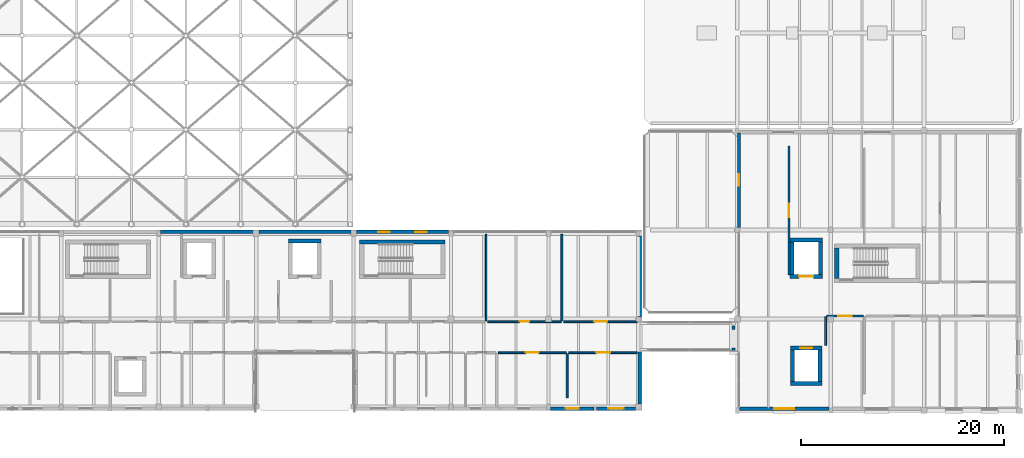
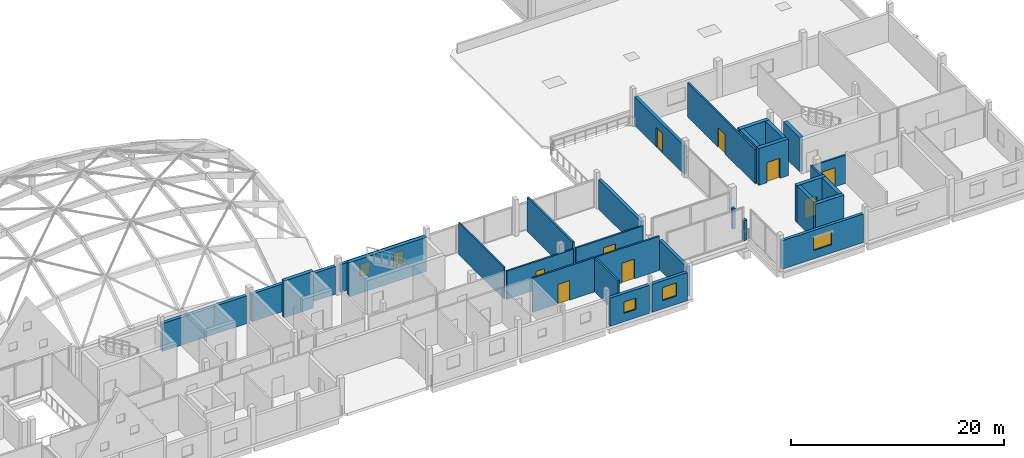
# One storey, part 27 of 41: 32 walls, 9 doors, 5 windows, 14 openings.
"""IFC4 building model written with IfcOpenShell, lengths in metres."""

from ifc_helpers import new_model, si_unit, direction, frame, frame_2d, origin, place, context, subcontext, project, spatial, rectangle, extrude, material, layer, layer_set, type_object, element, fill, save


model = new_model("IFC4")

# Units and contexts
model_context = context("Model", 3, precision=1e-05, world=origin(), true_north=direction((0.0, 1.0)))
body_context = subcontext(model_context, "Body", "Model", "MODEL_VIEW")
ifc_project = project(units=[si_unit("LENGTHUNIT", "METRE"), si_unit("AREAUNIT", "SQUARE_METRE"), si_unit("VOLUMEUNIT", "CUBIC_METRE"), si_unit("PLANEANGLEUNIT", "RADIAN"), si_unit("MASSUNIT", "GRAM", prefix="KILO")], contexts=[model_context])

# Site, building, storey
site_placement = place(None, origin())
site = spatial("IfcSite", under=ifc_project, at=site_placement, CompositionType="ELEMENT")
building_placement = place(site_placement, origin())
building = spatial("IfcBuilding", under=site, at=building_placement, Name="Birchvale Park Specialist Clinic", CompositionType="ELEMENT")
storey_placement = place(building_placement, frame((0.0, 0.0, 9.60009765625)))
storey = spatial("IfcBuildingStorey", under=building, at=storey_placement, Name="L02", CompositionType="ELEMENT", Elevation=9.60009765625)

# Walls
ifc_material_1 = material(Name="Concrete C40/50", Category="concrete")
ifc_layer_1 = layer(ifc_material_1, 0.39990234375)
ifc_layer_set_1 = layer_set([ifc_layer_1], Name="Concrete C40/50")
wall_type_1 = type_object("IfcWallType", Name="WL-CW-120", PredefinedType="SHEAR", material=ifc_layer_set_1)
wall_1_placement = place(storey_placement, frame((99.199951171875, 33.39990234375, 0.0), z_axis=(0.0, 0.0, 1.0), x_axis=(-1.0, 0.0, 0.0)))
element("IfcWall", 1, at=wall_1_placement, inside=storey, type_object=wall_type_1, Name="L02 stair ST5 EI 120 enclosure wall (north)", PredefinedType="SHEAR", context=body_context, shape_type="SweptSolid", body=[
    extrude(rectangle(XDim=8.39990234375, YDim=0.39990234375, at=frame_2d((4.199951171875, 0.0))), origin(), (0.0, 0.0, 1.0), 3.919921875),
])
wall_2_placement = place(storey_placement, frame((137.800048828125, 29.800048828125, 0.0), z_axis=(0.0, 0.0, 1.0), x_axis=(0.0, 1.0, 0.0)))
element("IfcWall", 2, at=wall_2_placement, inside=storey, type_object=wall_type_1, Name="L02 stair ST6 EI 120 enclosure wall (west)", PredefinedType="SHEAR", context=body_context, shape_type="SweptSolid", body=[
    extrude(rectangle(XDim=3.0, YDim=0.39990234375, at=frame_2d((1.5, 0.0))), origin(), (0.0, 0.0, 1.0), 3.919921875),
])
wall_3_placement = place(storey_placement, frame((87.0, 33.5, 0.0), z_axis=(0.0, 0.0, 1.0), x_axis=(-1.0, 0.0, 0.0)))
element("IfcWall", 3, at=wall_3_placement, inside=storey, type_object=wall_type_1, Name="L02 lift LF2 shaft wall (north)", PredefinedType="SHEAR", context=body_context, shape_type="SweptSolid", body=[
    extrude(rectangle(XDim=3.199951171875, YDim=0.39990234375, at=frame_2d((1.60009765625, 0.0))), origin(), (0.0, 0.0, 1.0), 4.199951171875),
])
wall_4_placement = place(storey_placement, frame((133.25, 19.449951171875, 0.0), z_axis=(0.0, 0.0, 1.0), x_axis=(1.0, 0.0, 0.0)))
element("IfcWall", 4, at=wall_4_placement, inside=storey, type_object=wall_type_1, Name="L02 lift LP4 shaft wall (south)", PredefinedType="SHEAR", context=body_context, shape_type="SweptSolid", body=[
    extrude(rectangle(XDim=3.10009765625, YDim=0.39990234375, at=frame_2d((1.550048828125, 0.0))), origin(), (0.0, 0.0, 1.0), 4.199951171875),
])

# Wall, opening, door
wall_5_placement = place(storey_placement, frame((136.35009765625, 22.949951171875, 0.0), z_axis=(0.0, 0.0, 1.0), x_axis=(-1.0, 0.0, 0.0)))
wall_5 = element("IfcWall", 5, at=wall_5_placement, inside=storey, type_object=wall_type_1, Name="L02 lift LP4 shaft wall (north)", PredefinedType="SHEAR", context=body_context, shape_type="SweptSolid", body=[
    extrude(rectangle(XDim=3.10009765625, YDim=0.39990234375, at=frame_2d((1.550048828125, 0.0))), origin(), (0.0, 0.0, 1.0), 4.199951171875),
])
opening_1_placement = place(wall_5_placement, frame((0.949951171875, 0.0, 0.0)))
opening_1 = element("IfcOpeningElement", 6, at=opening_1_placement, cuts=wall_5, Name="Opening LD-01", PredefinedType="OPENING", context=body_context, shape_type="SweptSolid", body=[
    extrude(rectangle(XDim=1.199951171875, YDim=2.199951171875, at=frame_2d((0.60009765625, 1.10009765625))), frame((0.0, 0.2099609375, 0.0), z_axis=(0.0, -1.0, 0.0), x_axis=(1.0, 0.0, 0.0)), (0.0, 0.0, 1.0), 0.419921875),
])
ifc_material_2 = material(Name="Solid-core birch veneer and anodised aluminium", Category="aluminium")
door_type_1 = type_object("IfcDoorType", Name="DR-LD-01", OperationType="DOUBLE_DOOR_SLIDING", PredefinedType="DOOR", material=ifc_material_2)
door_1_placement = place(opening_1_placement, origin())
door_1 = element("IfcDoor", 7, at=door_1_placement, inside=storey, type_object=door_type_1, Name="L02 lift LP4 sliding landing door", OperationType="DOUBLE_DOOR_SLIDING", OverallHeight=2.199951171875, OverallWidth=1.199951171875, PredefinedType="DOOR", context=body_context, shape_type="SweptSolid", body=[
    extrude(rectangle(XDim=1.199951171875, YDim=2.199951171875, at=frame_2d((0.60009765625, 1.10009765625))), frame((0.0, 0.02490234375, 0.0), z_axis=(0.0, -1.0, 0.0), x_axis=(1.0, 0.0, 0.0)), (0.0, 0.0, 1.0), 0.050048828125),
])
fill(opening_1, door_1)

# Walls
for number, where, z_axis, x_axis, name in (
    (8, (133.449951171875, 19.64990234375, 0.0), (0.0, 0.0, 1.0), (0.0, 1.0, 0.0), "L02 lift LP4 shaft wall (west)"),
    (9, (136.14990234375, 22.75, 0.0), (0.0, 0.0, 1.0), (0.0, -1.0, 0.0), "L02 lift LP4 shaft wall (east)"),
):
    element("IfcWall", number, at=place(storey_placement, frame(where, z_axis=z_axis, x_axis=x_axis)), inside=storey, type_object=wall_type_1, Name=name, PredefinedType="SHEAR", context=body_context, shape_type="SweptSolid", body=[
        extrude(rectangle(XDim=3.10009765625, YDim=0.39990234375, at=frame_2d((1.550048828125, 0.0))), origin(), (0.0, 0.0, 1.0), 4.199951171875),
    ])

# Wall, opening, door
wall_6_placement = place(storey_placement, frame((133.199951171875, 30.0, 0.0), z_axis=(0.0, 0.0, 1.0), x_axis=(1.0, 0.0, 0.0)))
wall_6 = element("IfcWall", 10, at=wall_6_placement, inside=storey, type_object=wall_type_1, Name="L02 lift LS2 shaft wall (south)", PredefinedType="SHEAR", context=body_context, shape_type="SweptSolid", body=[
    extrude(rectangle(XDim=3.199951171875, YDim=0.39990234375, at=frame_2d((1.60009765625, 0.0))), origin(), (0.0, 0.0, 1.0), 4.199951171875),
])
opening_2_placement = place(wall_6_placement, frame((0.89990234375, 0.0, 0.0)))
opening_2 = element("IfcOpeningElement", 11, at=opening_2_placement, cuts=wall_6, Name="Opening LD-03", PredefinedType="OPENING", context=body_context, shape_type="SweptSolid", body=[
    extrude(rectangle(XDim=1.39990234375, YDim=2.300048828125, at=frame_2d((0.699951171875, 1.14990234375))), frame((0.0, 0.2099609375, 0.0), z_axis=(0.0, -1.0, 0.0), x_axis=(1.0, 0.0, 0.0)), (0.0, 0.0, 1.0), 0.419921875),
])
door_type_2 = type_object("IfcDoorType", Name="DR-LD-03", OperationType="DOUBLE_DOOR_SLIDING", PredefinedType="DOOR", material=ifc_material_2)
door_2_placement = place(opening_2_placement, origin())
door_2 = element("IfcDoor", 12, at=door_2_placement, inside=storey, type_object=door_type_2, Name="L02 lift LS2 sliding landing door", OperationType="DOUBLE_DOOR_SLIDING", OverallHeight=2.300048828125, OverallWidth=1.39990234375, PredefinedType="DOOR", context=body_context, shape_type="SweptSolid", body=[
    extrude(rectangle(XDim=1.39990234375, YDim=2.300048828125, at=frame_2d((0.699951171875, 1.14990234375))), frame((0.0, 0.02490234375, 0.0), z_axis=(0.0, -1.0, 0.0), x_axis=(1.0, 0.0, 0.0)), (0.0, 0.0, 1.0), 0.050048828125),
])
fill(opening_2, door_2)

# Walls
for number, where, z_axis, x_axis, name in (
    (13, (136.39990234375, 33.60009765625, 0.0), (0.0, 0.0, 1.0), (-1.0, 0.0, 0.0), "L02 lift LS2 shaft wall (north)"),
    (14, (133.39990234375, 30.199951171875, 0.0), (0.0, 0.0, 1.0), (0.0, 1.0, 0.0), "L02 lift LS2 shaft wall (west)"),
    (15, (136.199951171875, 33.39990234375, 0.0), (0.0, 0.0, 1.0), (0.0, -1.0, 0.0), "L02 lift LS2 shaft wall (east)"),
):
    element("IfcWall", number, at=place(storey_placement, frame(where, z_axis=z_axis, x_axis=x_axis)), inside=storey, type_object=wall_type_1, Name=name, PredefinedType="SHEAR", context=body_context, shape_type="SweptSolid", body=[
        extrude(rectangle(XDim=3.199951171875, YDim=0.39990234375, at=frame_2d((1.60009765625, 0.0))), origin(), (0.0, 0.0, 1.0), 4.199951171875),
    ])

# Wall, opening, window
ifc_material_3 = material(Name="Lime-white mineral-rendered insulated masonry", Category="masonry")
ifc_layer_2 = layer(ifc_material_3, 0.340087890625)
ifc_layer_set_2 = layer_set([ifc_layer_2], Name="Lime-white mineral-rendered insulated masonry")
wall_type_2 = type_object("IfcWallType", Name="WL-EW-01", PredefinedType="STANDARD", material=ifc_layer_set_2)
wall_7_placement = place(storey_placement, frame((109.580078125, 16.989990234375, 0.0), z_axis=(0.0, 0.0, 1.0), x_axis=(1.0, 0.0, 0.0)))
wall_7 = element("IfcWall", 16, at=wall_7_placement, inside=storey, type_object=wall_type_2, Name="V4 L02 exterior facade wall 202", PredefinedType="STANDARD", context=body_context, shape_type="SweptSolid", body=[
    extrude(rectangle(XDim=4.304931640625, YDim=0.340087890625, at=frame_2d((2.15234375, 0.0))), origin(), (0.0, 0.0, 1.0), 3.21484375),
])
opening_3_placement = place(wall_7_placement, frame((1.50244140625, 0.0, 0.949951171875)))
opening_3 = element("IfcOpeningElement", 17, at=opening_3_placement, cuts=wall_7, Name="Opening W-SQ13", PredefinedType="OPENING", context=body_context, shape_type="SweptSolid", body=[
    extrude(rectangle(XDim=1.300048828125, YDim=1.300048828125, at=frame_2d((0.64990234375, 0.64990234375))), frame((0.0, 0.18017578125, 0.0), z_axis=(0.0, -1.0, 0.0), x_axis=(1.0, 0.0, 0.0)), (0.0, 0.0, 1.0), 0.360107421875),
])
ifc_material_4 = material(Name="Solar-control low-E double glazing", Category="glass")
window_type_1 = type_object("IfcWindowType", Name="WIN-W-SQ13", PartitioningType="SINGLE_PANEL", PredefinedType="WINDOW", material=ifc_material_4)
window_1_placement = place(opening_3_placement, origin())
window_1 = element("IfcWindow", 18, at=window_1_placement, inside=storey, type_object=window_type_1, Name="V4 L02 cased window 75", OverallHeight=1.300048828125, OverallWidth=1.300048828125, PartitioningType="SINGLE_PANEL", PredefinedType="WINDOW", context=body_context, shape_type="SweptSolid", body=[
    extrude(rectangle(XDim=1.300048828125, YDim=1.300048828125, at=frame_2d((0.64990234375, 0.64990234375))), frame((0.0, 0.030029296875, 0.0), z_axis=(0.0, -1.0, 0.0), x_axis=(1.0, 0.0, 0.0)), (0.0, 0.0, 1.0), 0.06005859375),
])
fill(opening_3, window_1)

wall_8_placement = place(storey_placement, frame((114.114990234375, 16.989990234375, 0.0), z_axis=(0.0, 0.0, 1.0), x_axis=(1.0, 0.0, 0.0)))
wall_8 = element("IfcWall", 19, at=wall_8_placement, inside=storey, type_object=wall_type_2, Name="V4 L02 exterior facade wall 203", PredefinedType="STANDARD", context=body_context, shape_type="SweptSolid", body=[
    extrude(rectangle(XDim=3.85009765625, YDim=0.340087890625, at=frame_2d((1.925048828125, 0.0))), origin(), (0.0, 0.0, 1.0), 3.21484375),
])
opening_4_placement = place(wall_8_placement, frame((1.175048828125, 0.0, 0.949951171875)))
opening_4 = element("IfcOpeningElement", 20, at=opening_4_placement, cuts=wall_8, Name="Opening W-SQ15", PredefinedType="OPENING", context=body_context, shape_type="SweptSolid", body=[
    extrude(rectangle(XDim=1.5, YDim=1.5, at=frame_2d((0.75, 0.75))), frame((0.0, 0.18017578125, 0.0), z_axis=(0.0, -1.0, 0.0), x_axis=(1.0, 0.0, 0.0)), (0.0, 0.0, 1.0), 0.360107421875),
])
window_type_2 = type_object("IfcWindowType", Name="WIN-W-SQ15", PartitioningType="SINGLE_PANEL", PredefinedType="WINDOW", material=ifc_material_4)
window_2_placement = place(opening_4_placement, origin())
window_2 = element("IfcWindow", 21, at=window_2_placement, inside=storey, type_object=window_type_2, Name="V4 L02 cased window 76", OverallHeight=1.5, OverallWidth=1.5, PartitioningType="SINGLE_PANEL", PredefinedType="WINDOW", context=body_context, shape_type="SweptSolid", body=[
    extrude(rectangle(XDim=1.5, YDim=1.5, at=frame_2d((0.75, 0.75))), frame((0.0, 0.030029296875, 0.0), z_axis=(0.0, -1.0, 0.0), x_axis=(1.0, 0.0, 0.0)), (0.0, 0.0, 1.0), 0.06005859375),
])
fill(opening_4, window_2)

# Walls
wall_9_placement = place(storey_placement, frame((118.409912109375, 17.43505859375, 0.0), z_axis=(0.0, 0.0, 1.0), x_axis=(0.0, 1.0, 0.0)))
element("IfcWall", 22, at=wall_9_placement, inside=storey, type_object=wall_type_2, Name="V4 L02 exterior facade wall 204", PredefinedType="STANDARD", context=body_context, shape_type="SweptSolid", body=[
    extrude(rectangle(XDim=5.114990234375, YDim=0.340087890625, at=frame_2d((2.5576171875, 0.0))), origin(), (0.0, 0.0, 1.0), 3.364990234375),
])
wall_10_placement = place(storey_placement, frame((118.409912109375, 26.034912109375, 0.0), z_axis=(0.0, 0.0, 1.0), x_axis=(0.0, 1.0, 0.0)))
element("IfcWall", 23, at=wall_10_placement, inside=storey, type_object=wall_type_2, Name="V4 L02 exterior facade wall 205", PredefinedType="STANDARD", context=body_context, shape_type="SweptSolid", body=[
    extrude(rectangle(XDim=7.960205078125, YDim=0.340087890625, at=frame_2d((3.97998046875, 0.0))), origin(), (0.0, 0.0, 1.0), 3.364990234375),
])

# Wall, openings, windows
wall_11_placement = place(storey_placement, frame((99.56494140625, 34.409912109375, 0.0), z_axis=(0.0, 0.0, 1.0), x_axis=(-1.0, 0.0, 0.0)))
wall_11 = element("IfcWall", 24, at=wall_11_placement, inside=storey, type_object=wall_type_2, Name="V4 L02 exterior facade wall 206", PredefinedType="STANDARD", context=body_context, shape_type="SweptSolid", body=[
    extrude(rectangle(XDim=9.10498046875, YDim=0.340087890625, at=frame_2d((4.552490234375, 0.0))), origin(), (0.0, 0.0, 1.0), 3.184814453125),
])
opening_5_placement = place(wall_11_placement, frame((2.181396484375, 0.0, 0.949951171875)))
opening_5 = element("IfcOpeningElement", 25, at=opening_5_placement, cuts=wall_11, Name="Opening W-CL11", PredefinedType="OPENING", context=body_context, shape_type="SweptSolid", body=[
    extrude(rectangle(XDim=1.10009765625, YDim=1.39990234375, at=frame_2d((0.550048828125, 0.699951171875))), frame((0.0, 0.18017578125, 0.0), z_axis=(0.0, -1.0, 0.0), x_axis=(1.0, 0.0, 0.0)), (0.0, 0.0, 1.0), 0.360107421875),
])
opening_6_placement = place(wall_11_placement, frame((5.823486328125, 0.0, 0.949951171875)))
opening_6 = element("IfcOpeningElement", 26, at=opening_6_placement, cuts=wall_11, Name="Opening W-CL11", PredefinedType="OPENING", context=body_context, shape_type="SweptSolid", body=[
    extrude(rectangle(XDim=1.10009765625, YDim=1.39990234375, at=frame_2d((0.550048828125, 0.699951171875))), frame((0.0, 0.18017578125, 0.0), z_axis=(0.0, -1.0, 0.0), x_axis=(1.0, 0.0, 0.0)), (0.0, 0.0, 1.0), 0.360107421875),
])
window_type_3 = type_object("IfcWindowType", Name="WIN-W-CL11", PartitioningType="SINGLE_PANEL", PredefinedType="WINDOW", material=ifc_material_4)
window_3_placement = place(opening_5_placement, origin())
window_3 = element("IfcWindow", 27, at=window_3_placement, inside=storey, type_object=window_type_3, Name="V4 L02 cased window 77", OverallHeight=1.39990234375, OverallWidth=1.10009765625, PartitioningType="SINGLE_PANEL", PredefinedType="WINDOW", context=body_context, shape_type="SweptSolid", body=[
    extrude(rectangle(XDim=1.10009765625, YDim=1.39990234375, at=frame_2d((0.550048828125, 0.699951171875))), frame((0.0, 0.030029296875, 0.0), z_axis=(0.0, -1.0, 0.0), x_axis=(1.0, 0.0, 0.0)), (0.0, 0.0, 1.0), 0.06005859375),
])
fill(opening_5, window_3)
window_4_placement = place(opening_6_placement, origin())
window_4 = element("IfcWindow", 28, at=window_4_placement, inside=storey, type_object=window_type_3, Name="V4 L02 cased window 78", OverallHeight=1.39990234375, OverallWidth=1.10009765625, PartitioningType="SINGLE_PANEL", PredefinedType="WINDOW", context=body_context, shape_type="SweptSolid", body=[
    extrude(rectangle(XDim=1.10009765625, YDim=1.39990234375, at=frame_2d((0.550048828125, 0.699951171875))), frame((0.0, 0.030029296875, 0.0), z_axis=(0.0, -1.0, 0.0), x_axis=(1.0, 0.0, 0.0)), (0.0, 0.0, 1.0), 0.06005859375),
])
fill(opening_6, window_4)

# Walls
wall_12_placement = place(storey_placement, frame((89.93994140625, 34.409912109375, 0.0), z_axis=(0.0, 0.0, 1.0), x_axis=(-1.0, 0.0, 0.0)))
element("IfcWall", 29, at=wall_12_placement, inside=storey, type_object=wall_type_2, Name="V4 L02 exterior facade wall 207", PredefinedType="STANDARD", context=body_context, shape_type="SweptSolid", body=[
    extrude(rectangle(XDim=9.054931640625, YDim=0.340087890625, at=frame_2d((4.52734375, 0.0))), origin(), (0.0, 0.0, 1.0), 3.184814453125),
])
wall_13_placement = place(storey_placement, frame((80.31494140625, 34.409912109375, 0.0), z_axis=(0.0, 0.0, 1.0), x_axis=(-1.0, 0.0, 0.0)))
element("IfcWall", 30, at=wall_13_placement, inside=storey, type_object=wall_type_2, Name="V4 L02 exterior facade wall 208", PredefinedType="STANDARD", context=body_context, shape_type="SweptSolid", body=[
    extrude(rectangle(XDim=9.135009765625, YDim=0.340087890625, at=frame_2d((4.5673828125, 0.0))), origin(), (0.0, 0.0, 1.0), 3.184814453125),
])

# Wall, opening, window
ifc_layer_3 = layer(ifc_material_3, 0.31005859375)
ifc_layer_set_3 = layer_set([ifc_layer_3], Name="Lime-white mineral-rendered insulated masonry")
wall_type_3 = type_object("IfcWallType", Name="WL-EW-02", PredefinedType="STANDARD", material=ifc_layer_set_3)
wall_14_placement = place(storey_placement, frame((128.195068359375, 16.97509765625, 0.0), z_axis=(0.0, 0.0, 1.0), x_axis=(1.0, 0.0, 0.0)))
wall_14 = element("IfcWall", 31, at=wall_14_placement, inside=storey, type_object=wall_type_3, Name="V5 L02 exterior facade wall 212", PredefinedType="STANDARD", context=body_context, shape_type="SweptSolid", body=[
    extrude(rectangle(XDim=8.8349609375, YDim=0.31005859375, at=frame_2d((4.41748046875, 0.0))), origin(), (0.0, 0.0, 1.0), 3.2548828125),
])
opening_7_placement = place(wall_14_placement, frame((3.4423828125, 0.0, 0.949951171875)))
opening_7 = element("IfcOpeningElement", 32, at=opening_7_placement, cuts=wall_14, Name="Opening W-CL17", PredefinedType="OPENING", context=body_context, shape_type="SweptSolid", body=[
    extrude(rectangle(XDim=1.949951171875, YDim=1.550048828125, at=frame_2d((0.97509765625, 0.77490234375))), frame((0.0, 0.1650390625, 0.0), z_axis=(0.0, -1.0, 0.0), x_axis=(1.0, 0.0, 0.0)), (0.0, 0.0, 1.0), 0.330078125),
])
window_type_4 = type_object("IfcWindowType", Name="WIN-W-CL17", PartitioningType="SINGLE_PANEL", PredefinedType="WINDOW", material=ifc_material_4)
window_5_placement = place(opening_7_placement, origin())
window_5 = element("IfcWindow", 33, at=window_5_placement, inside=storey, type_object=window_type_4, Name="V5 L02 cased window 79", OverallHeight=1.550048828125, OverallWidth=1.949951171875, PartitioningType="SINGLE_PANEL", PredefinedType="WINDOW", context=body_context, shape_type="SweptSolid", body=[
    extrude(rectangle(XDim=1.949951171875, YDim=1.550048828125, at=frame_2d((0.97509765625, 0.77490234375))), frame((0.0, 0.030029296875, 0.0), z_axis=(0.0, -1.0, 0.0), x_axis=(1.0, 0.0, 0.0)), (0.0, 0.0, 1.0), 0.06005859375),
])
fill(opening_7, window_5)

# Wall, opening, door
wall_15_placement = place(storey_placement, frame((128.175048828125, 44.155029296875, 0.0), z_axis=(0.0, 0.0, 1.0), x_axis=(0.0, -1.0, 0.0)))
wall_15 = element("IfcWall", 34, at=wall_15_placement, inside=storey, type_object=wall_type_3, Name="V5 L02 exterior facade wall 221", PredefinedType="STANDARD", context=body_context, shape_type="SweptSolid", body=[
    extrude(rectangle(XDim=9.31005859375, YDim=0.31005859375, at=frame_2d((4.655029296875, 0.0))), origin(), (0.0, 0.0, 1.0), 3.264892578125),
])
opening_8_placement = place(wall_15_placement, frame((4.080078125, 0.0, 0.0)))
opening_8 = element("IfcOpeningElement", 35, at=opening_8_placement, cuts=wall_15, Name="Opening ED-05", PredefinedType="OPENING", context=body_context, shape_type="SweptSolid", body=[
    extrude(rectangle(XDim=1.14990234375, YDim=2.199951171875, at=frame_2d((0.574951171875, 1.10009765625))), frame((0.0, 0.1650390625, 0.0), z_axis=(0.0, -1.0, 0.0), x_axis=(1.0, 0.0, 0.0)), (0.0, 0.0, 1.0), 0.330078125),
])
ifc_material_5 = material(Name="Powder-coated aluminium and laminated safety glass", Category="aluminium")
door_type_3 = type_object("IfcDoorType", Name="DR-ED-05", OperationType="NOTDEFINED", PredefinedType="DOOR", material=ifc_material_5)
door_3_placement = place(opening_8_placement, frame((1.14990234375, 0.0, 0.0), z_axis=(0.0, 0.0, 1.0), x_axis=(-1.0, 0.0, 0.0)))
door_3 = element("IfcDoor", 36, at=door_3_placement, inside=storey, type_object=door_type_3, Name="V5 L02 accessible roof terrace door 35", OperationType="SINGLE_SWING_RIGHT", OverallHeight=2.199951171875, OverallWidth=1.14990234375, PredefinedType="DOOR", context=body_context, shape_type="SweptSolid", body=[
    extrude(rectangle(XDim=1.14990234375, YDim=2.199951171875, at=frame_2d((0.574951171875, 1.10009765625))), frame((0.0, 0.02490234375, 0.0), z_axis=(0.0, -1.0, 0.0), x_axis=(1.0, 0.0, 0.0)), (0.0, 0.0, 1.0), 0.050048828125),
])
fill(opening_8, door_3)

# Walls
ifc_material_6 = material(Name="Acoustic gypsum board on metal framing")
ifc_layer_4 = layer(ifc_material_6, 0.14990234375)
ifc_layer_set_4 = layer_set([ifc_layer_4], Name="Acoustic gypsum board on metal framing")
wall_type_4 = type_object("IfcWallType", Name="WL-IW-02", PredefinedType="PARTITIONING", material=ifc_layer_set_4)
wall_16_placement = place(storey_placement, frame((103.256103515625, 34.159912109375, 0.0), z_axis=(0.0, 0.0, 1.0), x_axis=(0.0, -1.0, 0.0)))
element("IfcWall", 37, at=wall_16_placement, inside=storey, type_object=wall_type_4, Name="V4 L02 clinical partition 457", PredefinedType="PARTITIONING", context=body_context, shape_type="SweptSolid", body=[
    extrude(rectangle(XDim=8.530029296875, YDim=0.14990234375, at=frame_2d((4.26513671875, 0.0))), origin(), (0.0, 0.0, 1.0), 3.642822265625),
])
ifc_layer_5 = layer(ifc_material_6, 0.195068359375)
ifc_layer_set_5 = layer_set([ifc_layer_5], Name="Acoustic gypsum board on metal framing")
wall_type_5 = type_object("IfcWallType", Name="WL-IW-07", PredefinedType="PARTITIONING", material=ifc_layer_set_5)
wall_17_placement = place(storey_placement, frame((111.2451171875, 22.419921875, 0.0), z_axis=(0.0, 0.0, 1.0), x_axis=(0.0, -1.0, 0.0)))
element("IfcWall", 38, at=wall_17_placement, inside=storey, type_object=wall_type_5, Name="V4 L02 clinical partition 446", PredefinedType="PARTITIONING", context=body_context, shape_type="SweptSolid", body=[
    extrude(rectangle(XDim=4.3798828125, YDim=0.195068359375, at=frame_2d((2.18994140625, 0.0))), origin(), (0.0, 0.0, 1.0), 3.919921875),
])
wall_18_placement = place(storey_placement, frame((110.72802734375, 34.159912109375, 0.0), z_axis=(0.0, 0.0, 1.0), x_axis=(0.0, -1.0, 0.0)))
element("IfcWall", 39, at=wall_18_placement, inside=storey, type_object=wall_type_5, Name="V4 L02 clinical partition 459", PredefinedType="PARTITIONING", context=body_context, shape_type="SweptSolid", body=[
    extrude(rectangle(XDim=8.530029296875, YDim=0.195068359375, at=frame_2d((4.26513671875, 0.0))), origin(), (0.0, 0.0, 1.0), 3.919921875),
])

# Wall, opening, door
ifc_layer_6 = layer(ifc_material_6, 0.179931640625)
ifc_layer_set_6 = layer_set([ifc_layer_6], Name="Acoustic gypsum board on metal framing")
wall_type_6 = type_object("IfcWallType", Name="WL-IW-60", PredefinedType="PARTITIONING", material=ifc_layer_set_6)
wall_19_placement = place(storey_placement, frame((104.449951171875, 22.5, 0.0), z_axis=(0.0, 0.0, 1.0), x_axis=(1.0, 0.0, 0.0)))
wall_19 = element("IfcWall", 40, at=wall_19_placement, inside=storey, type_object=wall_type_6, Name="V4 L02 clinical partition 445", PredefinedType="PARTITIONING", context=body_context, shape_type="SweptSolid", body=[
    extrude(rectangle(XDim=6.715087890625, YDim=0.179931640625, at=frame_2d((3.357421875, 0.0))), origin(), (0.0, 0.0, 1.0), 3.919921875),
])
opening_9_placement = place(wall_19_placement, frame((2.717529296875, 0.0, 0.0)))
opening_9 = element("IfcOpeningElement", 41, at=opening_9_placement, cuts=wall_19, Name="Opening ID-05", PredefinedType="OPENING", context=body_context, shape_type="SweptSolid", body=[
    extrude(rectangle(XDim=1.280029296875, YDim=2.25, at=frame_2d((0.64013671875, 1.125))), frame((0.0, 0.10009765625, 0.0), z_axis=(0.0, -1.0, 0.0), x_axis=(1.0, 0.0, 0.0)), (0.0, 0.0, 1.0), 0.199951171875),
])
door_type_4 = type_object("IfcDoorType", Name="DR-ID-05", OperationType="NOTDEFINED", PredefinedType="DOOR", material=ifc_material_2)
door_4_placement = place(opening_9_placement, origin())
door_4 = element("IfcDoor", 42, at=door_4_placement, inside=storey, type_object=door_type_4, Name="L02 Oncology Consultation Suite door", OperationType="SINGLE_SWING_LEFT", OverallHeight=2.25, OverallWidth=1.280029296875, PredefinedType="DOOR", context=body_context, shape_type="SweptSolid", body=[
    extrude(rectangle(XDim=1.280029296875, YDim=2.25, at=frame_2d((0.64013671875, 1.125))), frame((0.0, 0.02490234375, 0.0), z_axis=(0.0, -1.0, 0.0), x_axis=(1.0, 0.0, 0.0)), (0.0, 0.0, 1.0), 0.050048828125),
])
fill(opening_9, door_4)

wall_20_placement = place(storey_placement, frame((111.405029296875, 22.5, 0.0), z_axis=(0.0, 0.0, 1.0), x_axis=(1.0, 0.0, 0.0)))
wall_20 = element("IfcWall", 43, at=wall_20_placement, inside=storey, type_object=wall_type_6, Name="V4 L02 clinical partition 447", PredefinedType="PARTITIONING", context=body_context, shape_type="SweptSolid", body=[
    extrude(rectangle(XDim=6.7548828125, YDim=0.179931640625, at=frame_2d((3.37744140625, 0.0))), origin(), (0.0, 0.0, 1.0), 3.919921875),
])
opening_10_placement = place(wall_20_placement, frame((2.6875, 0.0, 0.0)))
opening_10 = element("IfcOpeningElement", 44, at=opening_10_placement, cuts=wall_20, Name="Opening ID-06", PredefinedType="OPENING", context=body_context, shape_type="SweptSolid", body=[
    extrude(rectangle(XDim=1.3798828125, YDim=2.25, at=frame_2d((0.68994140625, 1.125))), frame((0.0, 0.10009765625, 0.0), z_axis=(0.0, -1.0, 0.0), x_axis=(1.0, 0.0, 0.0)), (0.0, 0.0, 1.0), 0.199951171875),
])
door_type_5 = type_object("IfcDoorType", Name="DR-ID-06", OperationType="NOTDEFINED", PredefinedType="DOOR", material=ifc_material_2)
door_5_placement = place(opening_10_placement, origin())
door_5 = element("IfcDoor", 45, at=door_5_placement, inside=storey, type_object=door_type_5, Name="L02 Multidisciplinary Consult Room door", OperationType="SINGLE_SWING_RIGHT", OverallHeight=2.25, OverallWidth=1.3798828125, PredefinedType="DOOR", context=body_context, shape_type="SweptSolid", body=[
    extrude(rectangle(XDim=1.3798828125, YDim=2.25, at=frame_2d((0.68994140625, 1.125))), frame((0.0, 0.02490234375, 0.0), z_axis=(0.0, -1.0, 0.0), x_axis=(1.0, 0.0, 0.0)), (0.0, 0.0, 1.0), 0.050048828125),
])
fill(opening_10, door_5)

wall_21_placement = place(storey_placement, frame((110.64794921875, 25.550048828125, 0.0), z_axis=(0.0, 0.0, 1.0), x_axis=(-1.0, 0.0, 0.0)))
wall_21 = element("IfcWall", 46, at=wall_21_placement, inside=storey, type_object=wall_type_6, Name="V4 L02 clinical partition 460", PredefinedType="PARTITIONING", context=body_context, shape_type="SweptSolid", body=[
    extrude(rectangle(XDim=7.23193359375, YDim=0.179931640625, at=frame_2d((3.615966796875, 0.0))), origin(), (0.0, 0.0, 1.0), 3.224853515625),
])
opening_11_placement = place(wall_21_placement, frame((3.135986328125, 0.0, 0.0)))
opening_11 = element("IfcOpeningElement", 47, at=opening_11_placement, cuts=wall_21, Name="Opening ID-04", PredefinedType="OPENING", context=body_context, shape_type="SweptSolid", body=[
    extrude(rectangle(XDim=0.9599609375, YDim=2.10009765625, at=frame_2d((0.47998046875, 1.050048828125))), frame((0.0, 0.10009765625, 0.0), z_axis=(0.0, -1.0, 0.0), x_axis=(1.0, 0.0, 0.0)), (0.0, 0.0, 1.0), 0.199951171875),
])
door_type_6 = type_object("IfcDoorType", Name="DR-ID-04", OperationType="NOTDEFINED", PredefinedType="DOOR", material=ifc_material_2)
door_6_placement = place(opening_11_placement, origin())
door_6 = element("IfcDoor", 48, at=door_6_placement, inside=storey, type_object=door_type_6, Name="L02 Oncology Consultation Suite door", OperationType="SINGLE_SWING_LEFT", OverallHeight=2.10009765625, OverallWidth=0.9599609375, PredefinedType="DOOR", context=body_context, shape_type="SweptSolid", body=[
    extrude(rectangle(XDim=0.9599609375, YDim=2.10009765625, at=frame_2d((0.47998046875, 1.050048828125))), frame((0.0, 0.02490234375, 0.0), z_axis=(0.0, -1.0, 0.0), x_axis=(1.0, 0.0, 0.0)), (0.0, 0.0, 1.0), 0.050048828125),
])
fill(opening_11, door_6)

wall_22_placement = place(storey_placement, frame((118.159912109375, 25.550048828125, 0.0), z_axis=(0.0, 0.0, 1.0), x_axis=(-1.0, 0.0, 0.0)))
wall_22 = element("IfcWall", 49, at=wall_22_placement, inside=storey, type_object=wall_type_6, Name="V4 L02 clinical partition 461", PredefinedType="PARTITIONING", context=body_context, shape_type="SweptSolid", body=[
    extrude(rectangle(XDim=7.27197265625, YDim=0.179931640625, at=frame_2d((3.635986328125, 0.0))), origin(), (0.0, 0.0, 1.0), 3.2548828125),
])
opening_12_placement = place(wall_22_placement, frame((2.99609375, 0.0, 0.0)))
opening_12 = element("IfcOpeningElement", 50, at=opening_12_placement, cuts=wall_22, Name="Opening ID-05", PredefinedType="OPENING", context=body_context, shape_type="SweptSolid", body=[
    extrude(rectangle(XDim=1.280029296875, YDim=2.25, at=frame_2d((0.64013671875, 1.125))), frame((0.0, 0.10009765625, 0.0), z_axis=(0.0, -1.0, 0.0), x_axis=(1.0, 0.0, 0.0)), (0.0, 0.0, 1.0), 0.199951171875),
])
door_7_placement = place(opening_12_placement, origin())
door_7 = element("IfcDoor", 51, at=door_7_placement, inside=storey, type_object=door_type_4, Name="L02 Multidisciplinary Consult Room door", OperationType="SINGLE_SWING_RIGHT", OverallHeight=2.25, OverallWidth=1.280029296875, PredefinedType="DOOR", context=body_context, shape_type="SweptSolid", body=[
    extrude(rectangle(XDim=1.280029296875, YDim=2.25, at=frame_2d((0.64013671875, 1.125))), frame((0.0, 0.02490234375, 0.0), z_axis=(0.0, -1.0, 0.0), x_axis=(1.0, 0.0, 0.0)), (0.0, 0.0, 1.0), 0.050048828125),
])
fill(opening_12, door_7)

# Wall
wall_23_placement = place(storey_placement, frame((136.699951171875, 23.22998046875, 0.0), z_axis=(0.0, 0.0, 1.0), x_axis=(0.0, 1.0, 0.0)))
element("IfcWall", 52, at=wall_23_placement, inside=storey, type_object=wall_type_6, Name="V5 L02 clinical partition 462", PredefinedType="PARTITIONING", context=body_context, shape_type="SweptSolid", body=[
    extrude(rectangle(XDim=2.7900390625, YDim=0.179931640625, at=frame_2d((1.39501953125, 0.0))), origin(), (0.0, 0.0, 1.0), 3.40478515625),
])

# Wall, opening, door
wall_24_placement = place(storey_placement, frame((136.780029296875, 26.10009765625, 0.0), z_axis=(0.0, 0.0, 1.0), x_axis=(1.0, 0.0, 0.0)))
wall_24 = element("IfcWall", 53, at=wall_24_placement, inside=storey, type_object=wall_type_6, Name="V5 L02 clinical partition 463", PredefinedType="PARTITIONING", context=body_context, shape_type="SweptSolid", body=[
    extrude(rectangle(XDim=3.646728515625, YDim=0.179931640625, at=frame_2d((1.8232421875, 0.0))), origin(), (0.0, 0.0, 1.0), 3.2548828125),
])
opening_13_placement = place(wall_24_placement, frame((1.1484375, 0.0, 0.0)))
opening_13 = element("IfcOpeningElement", 54, at=opening_13_placement, cuts=wall_24, Name="Opening ID-FD30", PredefinedType="OPENING", context=body_context, shape_type="SweptSolid", body=[
    extrude(rectangle(XDim=1.35009765625, YDim=2.199951171875, at=frame_2d((0.675048828125, 1.10009765625))), frame((0.0, 0.10009765625, 0.0), z_axis=(0.0, -1.0, 0.0), x_axis=(1.0, 0.0, 0.0)), (0.0, 0.0, 1.0), 0.199951171875),
])
door_type_7 = type_object("IfcDoorType", Name="DR-ID-FD30", OperationType="NOTDEFINED", PredefinedType="DOOR", material=ifc_material_2)
door_8_placement = place(opening_13_placement, origin())
door_8 = element("IfcDoor", 55, at=door_8_placement, inside=storey, type_object=door_type_7, Name="L02 Sterile Compounding Cleanroom door", OperationType="SINGLE_SWING_LEFT", OverallHeight=2.199951171875, OverallWidth=1.35009765625, PredefinedType="DOOR", context=body_context, shape_type="SweptSolid", body=[
    extrude(rectangle(XDim=1.35009765625, YDim=2.199951171875, at=frame_2d((0.675048828125, 1.10009765625))), frame((0.0, 0.02490234375, 0.0), z_axis=(0.0, -1.0, 0.0), x_axis=(1.0, 0.0, 0.0)), (0.0, 0.0, 1.0), 0.050048828125),
])
fill(opening_13, door_8)

wall_25_placement = place(storey_placement, frame((133.10009765625, 30.179931640625, 0.0), z_axis=(0.0, 0.0, 1.0), x_axis=(0.0, 1.0, 0.0)))
wall_25 = element("IfcWall", 56, at=wall_25_placement, inside=storey, type_object=wall_type_6, Name="V5 L02 clinical partition 468", PredefinedType="PARTITIONING", context=body_context, shape_type="SweptSolid", body=[
    extrude(rectangle(XDim=12.670166015625, YDim=0.179931640625, at=frame_2d((6.3349609375, 0.0))), origin(), (0.0, 0.0, 1.0), 3.919921875),
])
opening_14_placement = place(wall_25_placement, frame((5.675048828125, 0.0, 0.0)))
opening_14 = element("IfcOpeningElement", 57, at=opening_14_placement, cuts=wall_25, Name="Opening ID-12", PredefinedType="OPENING", context=body_context, shape_type="SweptSolid", body=[
    extrude(rectangle(XDim=1.320068359375, YDim=2.219970703125, at=frame_2d((0.66015625, 1.10986328125))), frame((0.0, 0.10009765625, 0.0), z_axis=(0.0, -1.0, 0.0), x_axis=(1.0, 0.0, 0.0)), (0.0, 0.0, 1.0), 0.199951171875),
])
door_type_8 = type_object("IfcDoorType", Name="DR-ID-12", OperationType="NOTDEFINED", PredefinedType="DOOR", material=ifc_material_2)
door_9_placement = place(opening_14_placement, origin())
door_9 = element("IfcDoor", 58, at=door_9_placement, inside=storey, type_object=door_type_8, Name="L02 Post-Procedure Recovery Bay door", OperationType="SINGLE_SWING_RIGHT", OverallHeight=2.219970703125, OverallWidth=1.320068359375, PredefinedType="DOOR", context=body_context, shape_type="SweptSolid", body=[
    extrude(rectangle(XDim=1.320068359375, YDim=2.219970703125, at=frame_2d((0.66015625, 1.10986328125))), frame((0.0, 0.02490234375, 0.0), z_axis=(0.0, -1.0, 0.0), x_axis=(1.0, 0.0, 0.0)), (0.0, 0.0, 1.0), 0.050048828125),
])
fill(opening_14, door_9)

# Walls
ifc_layer_7 = layer(ifc_material_1, 0.35009765625)
ifc_layer_set_7 = layer_set([ifc_layer_7], Name="Concrete C40/50")
wall_type_7 = type_object("IfcWallType", Name="WL-SW-350", PredefinedType="SHEAR", material=ifc_layer_set_7)
for number, where, z_axis, x_axis, name in (
    (59, (127.4599609375, 22.800048828125, 0.0), (0.0, 0.0, 1.0), (1.0, 0.0, 0.0), "L02 seismic bridge support pier BRG-3 CRB S"),
    (60, (127.4599609375, 24.949951171875, 0.0), (0.0, 0.0, 1.0), (1.0, 0.0, 0.0), "L02 seismic bridge support pier BRG-3 CRB N"),
):
    element("IfcWall", number, at=place(storey_placement, frame(where, z_axis=z_axis, x_axis=x_axis)), inside=storey, type_object=wall_type_7, Name=name, PredefinedType="SHEAR", context=body_context, shape_type="SweptSolid", body=[
        extrude(rectangle(XDim=0.320068359375, YDim=0.35009765625, at=frame_2d((0.16015625, 0.0))), origin(), (0.0, 0.0, 1.0), 2.322998046875),
    ])

save(model, "model.ifc")
